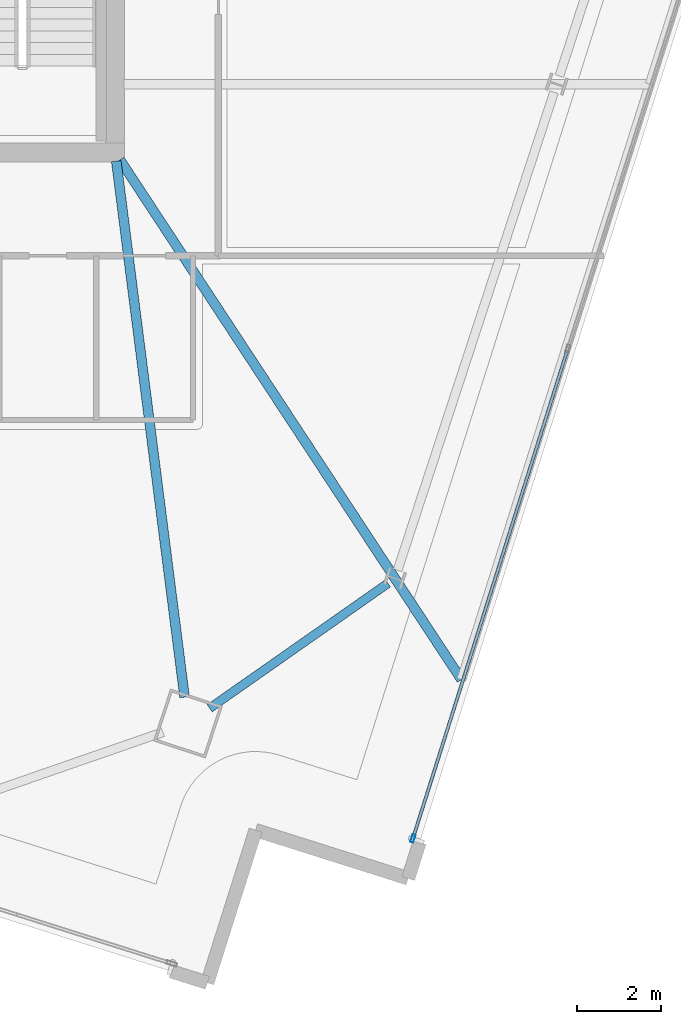
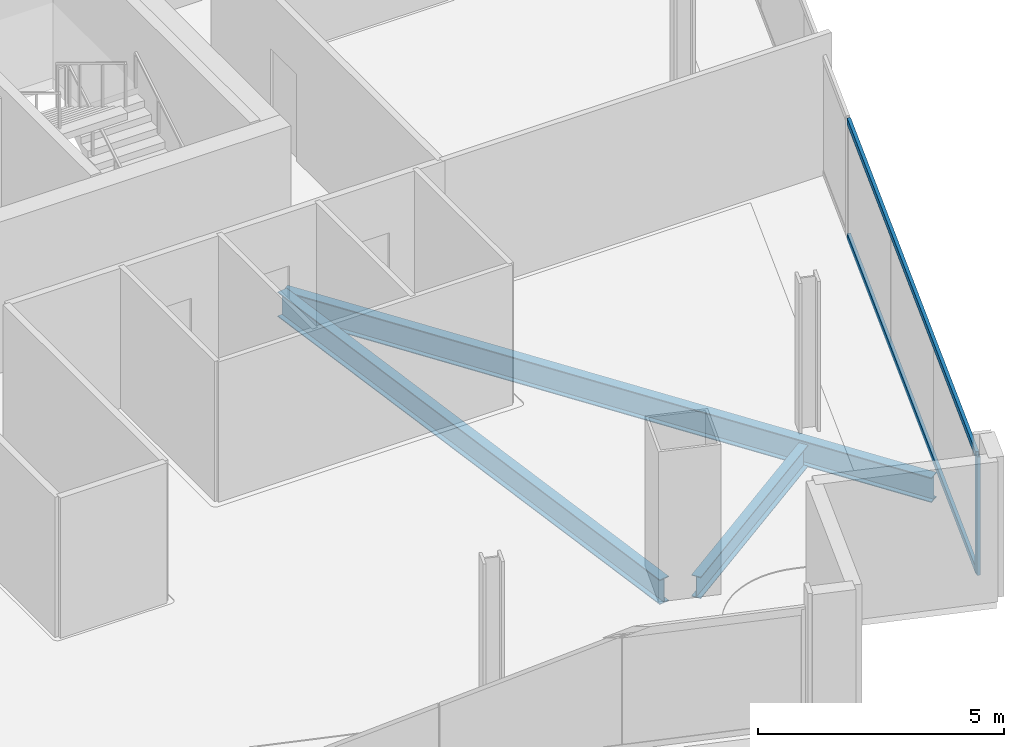
# One storey, part 7 of 26: 3 beams, 3 members, 1 element without a shape of its own.
"""IFC4 building model written with IfcOpenShell, lengths in metres."""

from ifc_helpers import new_model, si_unit, direction, frame, origin, origin_2d, place, context, subcontext, project, spatial, hollow_rectangle, i_section, extrude, material, material_profile, profile_set, type_object, element, aggregate, save


model = new_model("IFC4")

# Units and contexts
model_context = context("Model", 3, precision=1e-05, world=origin(), true_north=direction((0.0, 1.0)))
body_context = subcontext(model_context, "Body", "Model", "MODEL_VIEW")
ifc_project = project(units=[si_unit("LENGTHUNIT", "METRE"), si_unit("AREAUNIT", "SQUARE_METRE"), si_unit("VOLUMEUNIT", "CUBIC_METRE"), si_unit("PLANEANGLEUNIT", "RADIAN"), si_unit("MASSUNIT", "GRAM", prefix="KILO")], contexts=[model_context])

# Site, building, storey
site_placement = place(None, origin())
site = spatial("IfcSite", under=ifc_project, at=site_placement, CompositionType="ELEMENT")
building_placement = place(site_placement, origin())
building = spatial("IfcBuilding", under=site, at=building_placement, Name="Haldenkirk Collegiate Tower", CompositionType="ELEMENT")
storey_placement = place(building_placement, frame((0.0, 0.0, 271.199951171875)))
storey = spatial("IfcBuildingStorey", under=building, at=storey_placement, Name="L68", CompositionType="ELEMENT", Elevation=271.199951171875)

# Beams
ifc_material_1 = material(Name="Steel ASTM A992 Grade 50", Category="steel")
ifc_material_profile_1 = material_profile(ifc_material_1, i_section(OverallWidth=0.22998046875, OverallDepth=0.616943359375, WebThickness=0.01318359375, FlangeThickness=0.022216796875, at=origin_2d()), Name="W24X94")
ifc_profile_set_1 = profile_set([ifc_material_profile_1], Name="Steel ASTM A992 Grade 50")
beam_type_1 = type_object("IfcBeamType", Name="BM-GIRDER-W24X94", PredefinedType="BEAM", material=ifc_profile_set_1)
beam_1_placement = place(storey_placement, frame((46.6484375, 5.0693359375, -0.578369140625), z_axis=(-0.126462976839, 0.991971327957, 0.0), x_axis=(-0.991971327957, -0.126462976839, 0.0)))
element("IfcBeam", 1, at=beam_1_placement, inside=storey, type_object=beam_type_1, Name="L68 primary floor girder 01", PredefinedType="BEAM", context=body_context, shape_type="SweptSolid", body=[
    extrude(i_section(OverallWidth=0.22998046875, OverallDepth=0.616943359375, WebThickness=0.01318359375, FlangeThickness=0.022216796875, at=origin_2d()), origin(), (0.0, 0.0, 1.0), 12.830322265625),
])
beam_2_placement = place(storey_placement, frame((53.22119140625, 5.48681640625, -0.578369140625), z_axis=(-0.549098378606, 0.835757722437, 0.0), x_axis=(-0.835757722437, -0.549098378606, 0.0)))
element("IfcBeam", 2, at=beam_2_placement, inside=storey, type_object=beam_type_1, Name="L68 primary floor girder 05", PredefinedType="BEAM", context=body_context, shape_type="SweptSolid", body=[
    extrude(i_section(OverallWidth=0.22998046875, OverallDepth=0.616943359375, WebThickness=0.01318359375, FlangeThickness=0.022216796875, at=origin_2d()), origin(), (0.0, 0.0, 1.0), 14.76708984375),
])
ifc_material_profile_2 = material_profile(ifc_material_1, i_section(OverallWidth=0.2099609375, OverallDepth=0.537109375, WebThickness=0.010986328125, FlangeThickness=0.017333984375, at=origin_2d()), Name="W21X68")
ifc_profile_set_2 = profile_set([ifc_material_profile_2], Name="Steel ASTM A992 Grade 50")
beam_type_2 = type_object("IfcBeamType", Name="BM-SPANDREL-W21X68", PredefinedType="SPANDREL", material=ifc_profile_set_2)
beam_3_placement = place(storey_placement, frame((47.243896484375, 4.805908203125, -0.538330078125), z_axis=(0.818943373955, 0.573874333156, 0.0), x_axis=(-0.573874333156, 0.818943373955, 0.0)))
element("IfcBeam", 3, at=beam_3_placement, inside=storey, type_object=beam_type_2, Name="L68 perimeter spandrel beam 01", PredefinedType="SPANDREL", context=body_context, shape_type="SweptSolid", body=[
    extrude(i_section(OverallWidth=0.2099609375, OverallDepth=0.537109375, WebThickness=0.010986328125, FlangeThickness=0.017333984375, at=origin_2d()), origin(), (0.0, 0.0, 1.0), 5.16943359375),
])

# Curtain wall, members
ifc_material_2 = material(Name="Anodised architectural bronze aluminium", Category="aluminium")
curtain_wall_type = type_object("IfcCurtainWallType", Name="CW-SYS2-CONCAVE", PredefinedType="USERDEFINED", material=ifc_material_2)
curtain_wall_placement = place(storey_placement, origin())
curtain_wall = element("IfcCurtainWall", 4, at=curtain_wall_placement, inside=storey, type_object=curtain_wall_type, Name="L68 South concave recessed bronze-anodised curtain wall", ObjectType="UNITISED CURTAIN WALL", PredefinedType="USERDEFINED")
ifc_material_profile_3 = material_profile(ifc_material_2, hollow_rectangle(XDim=0.074951171875, YDim=0.18994140625, WallThickness=0.0048828125, at=origin_2d()), Name="CW-MUL-02")
ifc_profile_set_3 = profile_set([ifc_material_profile_3], Name="Anodised architectural bronze aluminium")
member_type_1 = type_object("IfcMemberType", Name="CW-MUL-02", PredefinedType="MULLION", material=ifc_profile_set_3)
member_1_placement = place(storey_placement, frame((52.069091796875, 1.711669921875, 0.0), z_axis=(0.0, 0.0, 1.0), x_axis=(0.953454589166, -0.301536641884, 0.0)))
member_1 = element("IfcMember", 5, at=member_1_placement, type_object=member_type_1, Name="CW-02 mullion 4", PredefinedType="MULLION", context=body_context, shape_type="SweptSolid", body=[
    extrude(hollow_rectangle(XDim=0.074951171875, YDim=0.18994140625, WallThickness=0.0048828125, at=origin_2d()), origin(), (0.0, 0.0, 1.0), 2.93798828125),
])
ifc_material_profile_4 = material_profile(ifc_material_2, hollow_rectangle(XDim=0.074951171875, YDim=0.159912109375, WallThickness=0.0048828125, at=origin_2d()), Name="CW-TRN-02")
ifc_profile_set_4 = profile_set([ifc_material_profile_4], Name="Anodised architectural bronze aluminium")
member_type_2 = type_object("IfcMemberType", Name="CW-TRN-02", PredefinedType="USERDEFINED", material=ifc_profile_set_4)
member_2_placement = place(storey_placement, frame((55.7353515625, 13.303955078125, 0.03759765625), z_axis=(-0.301548744143, -0.953450761658, 0.0), x_axis=(0.953450761658, -0.301548744143, 0.0)))
member_2 = element("IfcMember", 6, at=member_2_placement, type_object=member_type_2, Name="CW-02 transom 3.1", ObjectType="TRANSOM", PredefinedType="USERDEFINED", context=body_context, shape_type="SweptSolid", body=[
    extrude(hollow_rectangle(XDim=0.074951171875, YDim=0.159912109375, WallThickness=0.0048828125, at=origin_2d()), origin(), (0.0, 0.0, 1.0), 12.120849609375),
])
member_3_placement = place(storey_placement, frame((55.7353515625, 13.303955078125, 2.900634765625), z_axis=(-0.301548744143, -0.953450761658, 0.0), x_axis=(0.953450761658, -0.301548744143, 0.0)))
member_3 = element("IfcMember", 7, at=member_3_placement, type_object=member_type_2, Name="CW-02 transom 3.2", ObjectType="TRANSOM", PredefinedType="USERDEFINED", context=body_context, shape_type="SweptSolid", body=[
    extrude(hollow_rectangle(XDim=0.074951171875, YDim=0.159912109375, WallThickness=0.0048828125, at=origin_2d()), origin(), (0.0, 0.0, 1.0), 12.120849609375),
])
aggregate(curtain_wall, [member_1, member_2, member_3])

save(model, "model.ifc")
